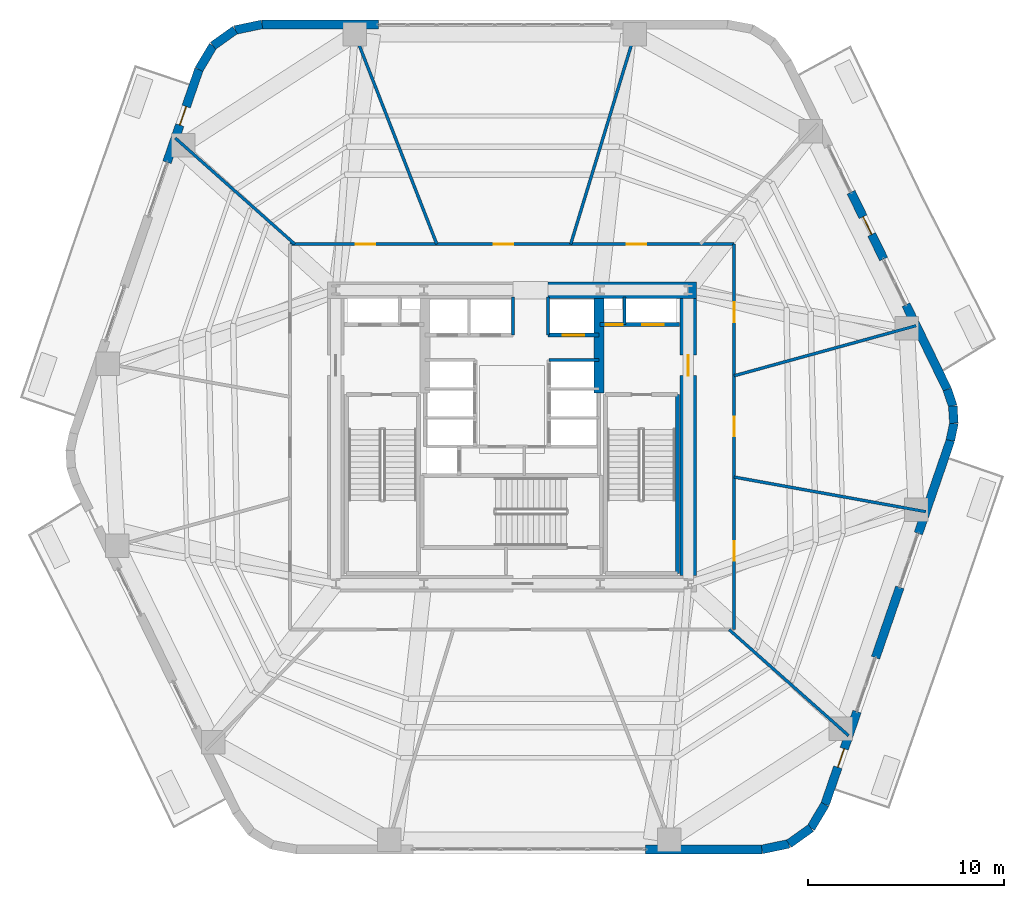
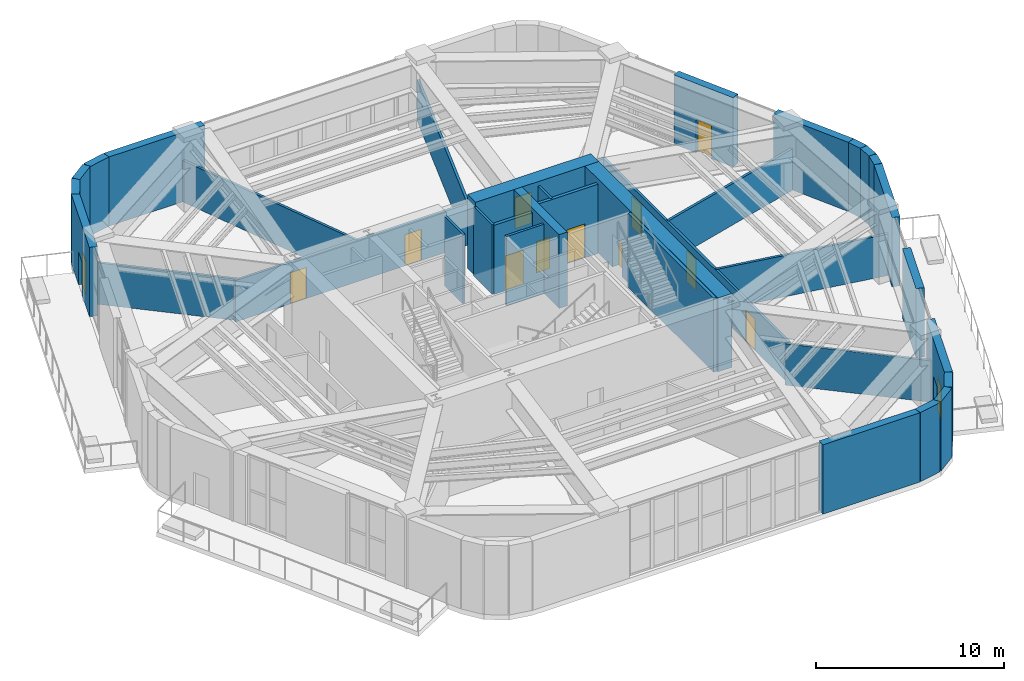
# One storey, part 18 of 22: 35 walls, 13 doors, 13 openings.
"""IFC4 building model written with IfcOpenShell, lengths in metres."""

from ifc_helpers import new_model, si_unit, direction, frame, frame_2d, origin, place, context, subcontext, project, spatial, rectangle, extrude, material, layer, layer_set, type_object, element, fill, save


model = new_model("IFC4")

# Units and contexts
model_context = context("Model", 3, precision=1e-05, world=origin(), true_north=direction((0.0, 1.0)))
body_context = subcontext(model_context, "Body", "Model", "MODEL_VIEW")
ifc_project = project(units=[si_unit("LENGTHUNIT", "METRE"), si_unit("AREAUNIT", "SQUARE_METRE"), si_unit("VOLUMEUNIT", "CUBIC_METRE"), si_unit("PLANEANGLEUNIT", "RADIAN"), si_unit("MASSUNIT", "GRAM", prefix="KILO")], contexts=[model_context])

# Site, building, storey
site_placement = place(None, origin())
site = spatial("IfcSite", under=ifc_project, at=site_placement, CompositionType="ELEMENT")
building_placement = place(site_placement, origin())
building = spatial("IfcBuilding", under=site, at=building_placement, Name="Kilnhurst Terrace Hotel", CompositionType="ELEMENT")
storey_placement = place(building_placement, frame((0.0, 0.0, 139.5)))
storey = spatial("IfcBuildingStorey", under=building, at=storey_placement, Name="L34", CompositionType="ELEMENT", Elevation=139.5)

# Walls
ifc_material_1 = material(Name="Precast concrete C40/50", Category="concrete")
ifc_layer_1 = layer(ifc_material_1, 0.449951171875, Name="Precast concrete C40/50")
ifc_layer_set_1 = layer_set([ifc_layer_1], Name="Precast concrete C40/50")
wall_type_1 = type_object("IfcWallType", Name="WL-BRK-450", PredefinedType="SOLIDWALL", material=ifc_layer_set_1)
wall_1_placement = place(storey_placement, frame((12.7705078125, -21.074951171875, 0.0), z_axis=(0.0, 0.0, 1.0), x_axis=(0.97874281988, 0.205091424819, 0.0)))
element("IfcWall", 1, at=wall_1_placement, inside=storey, type_object=wall_type_1, Name="L34 Rounded Corner Brick Wall C2.1", PredefinedType="SOLIDWALL", context=body_context, shape_type="SweptSolid", body=[
    extrude(rectangle(XDim=1.40576171875, YDim=0.449951171875, at=frame_2d((0.702880859375, 0.0))), origin(), (0.0, 0.0, 1.0), 4.5),
])
wall_2_placement = place(storey_placement, frame((14.146484375, -20.78662109375, 0.0), z_axis=(0.0, 0.0, 1.0), x_axis=(0.814162929117, 0.580636482536, 0.0)))
element("IfcWall", 2, at=wall_2_placement, inside=storey, type_object=wall_type_1, Name="L34 Rounded Corner Brick Wall C2.2", PredefinedType="SOLIDWALL", context=body_context, shape_type="SweptSolid", body=[
    extrude(rectangle(XDim=1.382080078125, YDim=0.449951171875, at=frame_2d((0.69091796875, 0.0))), origin(), (0.0, 0.0, 1.0), 4.5),
])
wall_3_placement = place(storey_placement, frame((15.271728515625, -19.984130859375, 0.0), z_axis=(0.0, 0.0, 1.0), x_axis=(0.512579347361, 0.858639862025, 0.0)))
element("IfcWall", 3, at=wall_3_placement, inside=storey, type_object=wall_type_1, Name="L34 Rounded Corner Brick Wall C2.3", PredefinedType="SOLIDWALL", context=body_context, shape_type="SweptSolid", body=[
    extrude(rectangle(XDim=1.406005859375, YDim=0.449951171875, at=frame_2d((0.703125, 0.0))), origin(), (0.0, 0.0, 1.0), 4.5),
])
wall_4_placement = place(storey_placement, frame((22.39697265625, -0.17919921875, 0.0), z_axis=(0.0, 0.0, 1.0), x_axis=(0.199313589404, 0.979935759669, 0.0)))
element("IfcWall", 4, at=wall_4_placement, inside=storey, type_object=wall_type_1, Name="L34 Rounded Corner Brick Wall C3.1", PredefinedType="SOLIDWALL", context=body_context, shape_type="SweptSolid", body=[
    extrude(rectangle(XDim=0.8955078125, YDim=0.449951171875, at=frame_2d((0.44775390625, 0.0))), origin(), (0.0, 0.0, 1.0), 4.5),
])
wall_5_placement = place(storey_placement, frame((22.575439453125, 0.6982421875, 0.0), z_axis=(0.0, 0.0, 1.0), x_axis=(-0.060980441946, 0.998138961117, 0.0)))
element("IfcWall", 5, at=wall_5_placement, inside=storey, type_object=wall_type_1, Name="L34 Rounded Corner Brick Wall C3.2", PredefinedType="SOLIDWALL", context=body_context, shape_type="SweptSolid", body=[
    extrude(rectangle(XDim=0.880859375, YDim=0.449951171875, at=frame_2d((0.4404296875, 0.0))), origin(), (0.0, 0.0, 1.0), 4.5),
])
wall_6_placement = place(storey_placement, frame((22.521728515625, 1.577392578125, 0.0), z_axis=(0.0, 0.0, 1.0), x_axis=(-0.317372694837, 0.948300887151, 0.0)))
element("IfcWall", 6, at=wall_6_placement, inside=storey, type_object=wall_type_1, Name="L34 Rounded Corner Brick Wall C3.3", PredefinedType="SOLIDWALL", context=body_context, shape_type="SweptSolid", body=[
    extrude(rectangle(XDim=0.8955078125, YDim=0.449951171875, at=frame_2d((0.44775390625, 0.0))), origin(), (0.0, 0.0, 1.0), 4.5),
])
wall_7_placement = place(storey_placement, frame((-12.7705078125, 21.074951171875, 0.0), z_axis=(0.0, 0.0, 1.0), x_axis=(-0.97874281988, -0.205091424819, 0.0)))
element("IfcWall", 7, at=wall_7_placement, inside=storey, type_object=wall_type_1, Name="L34 Rounded Corner Brick Wall C5.1", PredefinedType="SOLIDWALL", context=body_context, shape_type="SweptSolid", body=[
    extrude(rectangle(XDim=1.40576171875, YDim=0.449951171875, at=frame_2d((0.702880859375, 0.0))), origin(), (0.0, 0.0, 1.0), 4.5),
])
wall_8_placement = place(storey_placement, frame((-14.146484375, 20.78662109375, 0.0), z_axis=(0.0, 0.0, 1.0), x_axis=(-0.814162929117, -0.580636482536, 0.0)))
element("IfcWall", 8, at=wall_8_placement, inside=storey, type_object=wall_type_1, Name="L34 Rounded Corner Brick Wall C5.2", PredefinedType="SOLIDWALL", context=body_context, shape_type="SweptSolid", body=[
    extrude(rectangle(XDim=1.382080078125, YDim=0.449951171875, at=frame_2d((0.69091796875, 0.0))), origin(), (0.0, 0.0, 1.0), 4.5),
])
wall_9_placement = place(storey_placement, frame((-15.271728515625, 19.984130859375, 0.0), z_axis=(0.0, 0.0, 1.0), x_axis=(-0.512579347361, -0.858639862025, 0.0)))
element("IfcWall", 9, at=wall_9_placement, inside=storey, type_object=wall_type_1, Name="L34 Rounded Corner Brick Wall C5.3", PredefinedType="SOLIDWALL", context=body_context, shape_type="SweptSolid", body=[
    extrude(rectangle(XDim=1.406005859375, YDim=0.449951171875, at=frame_2d((0.703125, 0.0))), origin(), (0.0, 0.0, 1.0), 4.5),
])
wall_10_placement = place(storey_placement, frame((6.824951171875, -21.074951171875, 0.0), z_axis=(0.0, 0.0, 1.0), x_axis=(1.0, 0.0, 0.0)))
element("IfcWall", 10, at=wall_10_placement, inside=storey, type_object=wall_type_1, Name="L34 Face 1 End Brick Pier", PredefinedType="SOLIDWALL", context=body_context, shape_type="SweptSolid", body=[
    extrude(rectangle(XDim=5.945556640625, YDim=0.449951171875, at=frame_2d((2.97265625, 0.0))), origin(), (0.0, 0.0, 1.0), 4.5),
])

# Wall, opening, door
wall_11_placement = place(storey_placement, frame((15.992431640625, -18.77685546875, 0.0), z_axis=(0.0, 0.0, 1.0), x_axis=(0.325626313688, 0.945498547769, 0.0)))
wall_11 = element("IfcWall", 11, at=wall_11_placement, inside=storey, type_object=wall_type_1, Name="L34 Face 2 Brick Pier 1", PredefinedType="SOLIDWALL", context=body_context, shape_type="SweptSolid", body=[
    extrude(rectangle(XDim=5.01806640625, YDim=0.449951171875, at=frame_2d((2.509033203125, 0.0))), origin(), (0.0, 0.0, 1.0), 4.5),
])
opening_1_placement = place(wall_11_placement, frame((2.009033203125, 0.0, 0.0)))
opening_1 = element("IfcOpeningElement", 12, at=opening_1_placement, cuts=wall_11, Name="Opening BD-1000", PredefinedType="OPENING", context=body_context, shape_type="SweptSolid", body=[
    extrude(rectangle(XDim=1.0, YDim=2.14990234375, at=frame_2d((0.5, 1.074951171875))), frame((0.0, 0.23486328125, 0.0), z_axis=(0.0, -1.0, 0.0), x_axis=(1.0, 0.0, 0.0)), (0.0, 0.0, 1.0), 0.469970703125),
])
ifc_material_2 = material(Name="Thermally Broken Bronze Aluminium Alloy 6063-T6 and Laminated Glass", Category="aluminium")
door_type_1 = type_object("IfcDoorType", Name="DR-EXT-BAL-1000", OperationType="NOTDEFINED", PredefinedType="DOOR", material=ifc_material_2)
door_1_placement = place(opening_1_placement, origin())
door_1 = element("IfcDoor", 13, at=door_1_placement, inside=storey, type_object=door_type_1, Name="L34 Terrace Access Door BAL-L1A", OperationType="SINGLE_SWING_LEFT", OverallHeight=2.14990234375, OverallWidth=1.0, PredefinedType="DOOR", context=body_context, shape_type="SweptSolid", body=[
    extrude(rectangle(XDim=1.0, YDim=2.14990234375, at=frame_2d((0.5, 1.074951171875))), frame((0.0, 0.02490234375, 0.0), z_axis=(0.0, -1.0, 0.0), x_axis=(1.0, 0.0, 0.0)), (0.0, 0.0, 1.0), 0.050048828125),
])
fill(opening_1, door_1)

# Walls
wall_12_placement = place(storey_placement, frame((18.574462890625, -11.279052734375, 0.0), z_axis=(0.0, 0.0, 1.0), x_axis=(0.325598625093, 0.945508083169, 0.0)))
element("IfcWall", 14, at=wall_12_placement, inside=storey, type_object=wall_type_1, Name="L34 Face 2 Brick Pier 2", PredefinedType="SOLIDWALL", context=body_context, shape_type="SweptSolid", body=[
    extrude(rectangle(XDim=3.800048828125, YDim=0.449951171875, at=frame_2d((1.89990234375, 0.0))), origin(), (0.0, 0.0, 1.0), 4.5),
])
wall_13_placement = place(storey_placement, frame((20.760009765625, -4.932861328125, 0.0), z_axis=(0.0, 0.0, 1.0), x_axis=(0.325594073587, 0.94550965053, 0.0)))
element("IfcWall", 15, at=wall_13_placement, inside=storey, type_object=wall_type_1, Name="L34 Face 2 End Brick Pier", PredefinedType="SOLIDWALL", context=body_context, shape_type="SweptSolid", body=[
    extrude(rectangle(XDim=5.027587890625, YDim=0.449951171875, at=frame_2d((2.513671875, 0.0))), origin(), (0.0, 0.0, 1.0), 4.5),
])
wall_14_placement = place(storey_placement, frame((22.237548828125, 2.426513671875, 0.0), z_axis=(0.0, 0.0, 1.0), x_axis=(-0.438370693728, 0.898794267272, 0.0)))
element("IfcWall", 16, at=wall_14_placement, inside=storey, type_object=wall_type_1, Name="L34 Face 3 Brick Pier 1", PredefinedType="SOLIDWALL", context=body_context, shape_type="SweptSolid", body=[
    extrude(rectangle(XDim=4.815673828125, YDim=0.449951171875, at=frame_2d((2.40771484375, 0.0))), origin(), (0.0, 0.0, 1.0), 4.5),
])

# Wall, opening, door
wall_15_placement = place(storey_placement, frame((18.98828125, 9.088134765625, 0.0), z_axis=(0.0, 0.0, 1.0), x_axis=(-0.43837933929, 0.898790050503, 0.0)))
wall_15 = element("IfcWall", 17, at=wall_15_placement, inside=storey, type_object=wall_type_1, Name="L34 Face 3 Brick Pier 2", PredefinedType="SOLIDWALL", context=body_context, shape_type="SweptSolid", body=[
    extrude(rectangle(XDim=3.801025390625, YDim=0.449951171875, at=frame_2d((1.900390625, 0.0))), origin(), (0.0, 0.0, 1.0), 4.5),
])
opening_2_placement = place(wall_15_placement, frame((1.39990234375, 0.0, 0.0)))
opening_2 = element("IfcOpeningElement", 18, at=opening_2_placement, cuts=wall_15, Name="Opening BD-1000", PredefinedType="OPENING", context=body_context, shape_type="SweptSolid", body=[
    extrude(rectangle(XDim=1.0, YDim=2.14990234375, at=frame_2d((0.5, 1.074951171875))), frame((0.0, 0.23486328125, 0.0), z_axis=(0.0, -1.0, 0.0), x_axis=(1.0, 0.0, 0.0)), (0.0, 0.0, 1.0), 0.469970703125),
])
door_2_placement = place(opening_2_placement, origin())
door_2 = element("IfcDoor", 19, at=door_2_placement, inside=storey, type_object=door_type_1, Name="L34 Terrace Access Door BAL-L1B", OperationType="SINGLE_SWING_LEFT", OverallHeight=2.14990234375, OverallWidth=1.0, PredefinedType="DOOR", context=body_context, shape_type="SweptSolid", body=[
    extrude(rectangle(XDim=1.0, YDim=2.14990234375, at=frame_2d((0.5, 1.074951171875))), frame((0.0, 0.02490234375, 0.0), z_axis=(0.0, -1.0, 0.0), x_axis=(1.0, 0.0, 0.0)), (0.0, 0.0, 1.0), 0.050048828125),
])
fill(opening_2, door_2)

# Wall
wall_16_placement = place(storey_placement, frame((-6.824951171875, 21.074951171875, 0.0), z_axis=(0.0, 0.0, 1.0), x_axis=(-1.0, 0.0, 0.0)))
element("IfcWall", 20, at=wall_16_placement, inside=storey, type_object=wall_type_1, Name="L34 Face 4 End Brick Pier", PredefinedType="SOLIDWALL", context=body_context, shape_type="SweptSolid", body=[
    extrude(rectangle(XDim=5.945556640625, YDim=0.449951171875, at=frame_2d((2.97265625, 0.0))), origin(), (0.0, 0.0, 1.0), 4.5),
])

# Wall, opening, door
wall_17_placement = place(storey_placement, frame((-15.992431640625, 18.77685546875, 0.0), z_axis=(0.0, 0.0, 1.0), x_axis=(-0.325626313688, -0.945498547769, 0.0)))
wall_17 = element("IfcWall", 21, at=wall_17_placement, inside=storey, type_object=wall_type_1, Name="L34 Face 5 Brick Pier 1", PredefinedType="SOLIDWALL", context=body_context, shape_type="SweptSolid", body=[
    extrude(rectangle(XDim=5.01806640625, YDim=0.449951171875, at=frame_2d((2.509033203125, 0.0))), origin(), (0.0, 0.0, 1.0), 4.5),
])
opening_3_placement = place(wall_17_placement, frame((2.009033203125, 0.0, 0.0)))
opening_3 = element("IfcOpeningElement", 22, at=opening_3_placement, cuts=wall_17, Name="Opening BD-1000", PredefinedType="OPENING", context=body_context, shape_type="SweptSolid", body=[
    extrude(rectangle(XDim=1.0, YDim=2.14990234375, at=frame_2d((0.5, 1.074951171875))), frame((0.0, 0.23486328125, 0.0), z_axis=(0.0, -1.0, 0.0), x_axis=(1.0, 0.0, 0.0)), (0.0, 0.0, 1.0), 0.469970703125),
])
door_3_placement = place(opening_3_placement, origin())
door_3 = element("IfcDoor", 23, at=door_3_placement, inside=storey, type_object=door_type_1, Name="L34 Terrace Access Door BAL-L2A", OperationType="SINGLE_SWING_LEFT", OverallHeight=2.14990234375, OverallWidth=1.0, PredefinedType="DOOR", context=body_context, shape_type="SweptSolid", body=[
    extrude(rectangle(XDim=1.0, YDim=2.14990234375, at=frame_2d((0.5, 1.074951171875))), frame((0.0, 0.02490234375, 0.0), z_axis=(0.0, -1.0, 0.0), x_axis=(1.0, 0.0, 0.0)), (0.0, 0.0, 1.0), 0.050048828125),
])
fill(opening_3, door_3)

# Wall, openings, doors
ifc_material_3 = material(Name="Acoustic Double-Gypsum Corridor Partition Assembly")
ifc_layer_2 = layer(ifc_material_3, 0.14990234375, Name="Acoustic Double-Gypsum Corridor Partition Assembly")
ifc_layer_set_2 = layer_set([ifc_layer_2], Name="Acoustic Double-Gypsum Corridor Partition Assembly")
wall_type_2 = type_object("IfcWallType", Name="WL-COR-150", PredefinedType="PARTITIONING", material=ifc_layer_set_2)
wall_18_placement = place(storey_placement, frame((-11.35009765625, 9.85009765625, 0.0), z_axis=(0.0, 0.0, 1.0), x_axis=(1.0, 0.0, 0.0)))
wall_18 = element("IfcWall", 24, at=wall_18_placement, inside=storey, type_object=wall_type_2, Name="L34 Interior Wall WL-L34-COR-02", PredefinedType="PARTITIONING", context=body_context, shape_type="SweptSolid", body=[
    extrude(rectangle(XDim=22.7001953125, YDim=0.14990234375, at=frame_2d((11.35009765625, 0.0))), origin(), (0.0, 0.0, 1.0), 2.68994140625),
])
opening_4_placement = place(wall_18_placement, frame((17.2119140625, 0.0, 0.0)))
opening_4 = element("IfcOpeningElement", 25, at=opening_4_placement, cuts=wall_18, Name="Opening D-10A", PredefinedType="OPENING", context=body_context, shape_type="SweptSolid", body=[
    extrude(rectangle(XDim=1.0, YDim=2.030029296875, at=frame_2d((0.5, 1.01513671875))), frame((0.0, 0.0849609375, 0.0), z_axis=(0.0, -1.0, 0.0), x_axis=(1.0, 0.0, 0.0)), (0.0, 0.0, 1.0), 0.169921875),
])
opening_5_placement = place(wall_18_placement, frame((10.425048828125, 0.0, 0.0)))
opening_5 = element("IfcOpeningElement", 26, at=opening_5_placement, cuts=wall_18, Name="Opening D-10A", PredefinedType="OPENING", context=body_context, shape_type="SweptSolid", body=[
    extrude(rectangle(XDim=1.0, YDim=2.030029296875, at=frame_2d((0.5, 1.01513671875))), frame((0.0, 0.0849609375, 0.0), z_axis=(0.0, -1.0, 0.0), x_axis=(1.0, 0.0, 0.0)), (0.0, 0.0, 1.0), 0.169921875),
])
opening_6_placement = place(wall_18_placement, frame((3.3740234375, 0.0, 0.0)))
opening_6 = element("IfcOpeningElement", 27, at=opening_6_placement, cuts=wall_18, Name="Opening D-10A", PredefinedType="OPENING", context=body_context, shape_type="SweptSolid", body=[
    extrude(rectangle(XDim=1.0, YDim=2.030029296875, at=frame_2d((0.5, 1.01513671875))), frame((0.0, 0.0849609375, 0.0), z_axis=(0.0, -1.0, 0.0), x_axis=(1.0, 0.0, 0.0)), (0.0, 0.0, 1.0), 0.169921875),
])
ifc_material_4 = material(Name="Solid-Core American White Oak Interior Door")
door_type_2 = type_object("IfcDoorType", Name="DR-INT-1000", OperationType="NOTDEFINED", PredefinedType="DOOR", material=ifc_material_4)
door_4_placement = place(opening_4_placement, origin())
door_4 = element("IfcDoor", 28, at=door_4_placement, inside=storey, type_object=door_type_2, Name="L34 Sky Transfer Arrival Lounge Center Wing Door", OperationType="SINGLE_SWING_RIGHT", OverallHeight=2.030029296875, OverallWidth=1.0, PredefinedType="DOOR", context=body_context, shape_type="SweptSolid", body=[
    extrude(rectangle(XDim=1.0, YDim=2.030029296875, at=frame_2d((0.5, 1.01513671875))), frame((0.0, 0.02490234375, 0.0), z_axis=(0.0, -1.0, 0.0), x_axis=(1.0, 0.0, 0.0)), (0.0, 0.0, 1.0), 0.050048828125),
])
fill(opening_4, door_4)
door_5_placement = place(opening_5_placement, origin())
door_5 = element("IfcDoor", 29, at=door_5_placement, inside=storey, type_object=door_type_2, Name="L34 Sky Transfer Arrival Lounge East Wing Door", OperationType="SINGLE_SWING_LEFT", OverallHeight=2.030029296875, OverallWidth=1.0, PredefinedType="DOOR", context=body_context, shape_type="SweptSolid", body=[
    extrude(rectangle(XDim=1.0, YDim=2.030029296875, at=frame_2d((0.5, 1.01513671875))), frame((0.0, 0.02490234375, 0.0), z_axis=(0.0, -1.0, 0.0), x_axis=(1.0, 0.0, 0.0)), (0.0, 0.0, 1.0), 0.050048828125),
])
fill(opening_5, door_5)
door_6_placement = place(opening_6_placement, origin())
door_6 = element("IfcDoor", 30, at=door_6_placement, inside=storey, type_object=door_type_2, Name="L34 Sky Transfer Arrival Lounge North Wing Door", OperationType="SINGLE_SWING_RIGHT", OverallHeight=2.030029296875, OverallWidth=1.0, PredefinedType="DOOR", context=body_context, shape_type="SweptSolid", body=[
    extrude(rectangle(XDim=1.0, YDim=2.030029296875, at=frame_2d((0.5, 1.01513671875))), frame((0.0, 0.02490234375, 0.0), z_axis=(0.0, -1.0, 0.0), x_axis=(1.0, 0.0, 0.0)), (0.0, 0.0, 1.0), 0.050048828125),
])
fill(opening_6, door_6)

wall_19_placement = place(storey_placement, frame((11.35009765625, 9.85009765625, 0.0), z_axis=(0.0, 0.0, 1.0), x_axis=(0.0, -1.0, 0.0)))
wall_19 = element("IfcWall", 31, at=wall_19_placement, inside=storey, type_object=wall_type_2, Name="L34 Interior Wall WL-L34-COR-03", PredefinedType="PARTITIONING", context=body_context, shape_type="SweptSolid", body=[
    extrude(rectangle(XDim=19.7001953125, YDim=0.14990234375, at=frame_2d((9.85009765625, 0.0))), origin(), (0.0, 0.0, 1.0), 2.68994140625),
])
opening_7_placement = place(wall_19_placement, frame((2.98291015625, 0.0, 0.0)))
opening_7 = element("IfcOpeningElement", 32, at=opening_7_placement, cuts=wall_19, Name="Opening D-10A", PredefinedType="OPENING", context=body_context, shape_type="SweptSolid", body=[
    extrude(rectangle(XDim=1.0, YDim=2.030029296875, at=frame_2d((0.5, 1.01513671875))), frame((0.0, 0.0849609375, 0.0), z_axis=(0.0, -1.0, 0.0), x_axis=(1.0, 0.0, 0.0)), (0.0, 0.0, 1.0), 0.169921875),
])
opening_8_placement = place(wall_19_placement, frame((15.179931640625, 0.0, 0.0)))
opening_8 = element("IfcOpeningElement", 33, at=opening_8_placement, cuts=wall_19, Name="Opening D-10A", PredefinedType="OPENING", context=body_context, shape_type="SweptSolid", body=[
    extrude(rectangle(XDim=1.0, YDim=2.030029296875, at=frame_2d((0.5, 1.01513671875))), frame((0.0, 0.0849609375, 0.0), z_axis=(0.0, -1.0, 0.0), x_axis=(1.0, 0.0, 0.0)), (0.0, 0.0, 1.0), 0.169921875),
])
opening_9_placement = place(wall_19_placement, frame((8.81103515625, 0.0, 0.0)))
opening_9 = element("IfcOpeningElement", 34, at=opening_9_placement, cuts=wall_19, Name="Opening D-10A", PredefinedType="OPENING", context=body_context, shape_type="SweptSolid", body=[
    extrude(rectangle(XDim=1.0, YDim=2.030029296875, at=frame_2d((0.5, 1.01513671875))), frame((0.0, 0.0849609375, 0.0), z_axis=(0.0, -1.0, 0.0), x_axis=(1.0, 0.0, 0.0)), (0.0, 0.0, 1.0), 0.169921875),
])
door_7_placement = place(opening_7_placement, origin())
door_7 = element("IfcDoor", 35, at=door_7_placement, inside=storey, type_object=door_type_2, Name="L34 Sky Transfer Arrival Lounge West Wing Door", OperationType="SINGLE_SWING_LEFT", OverallHeight=2.030029296875, OverallWidth=1.0, PredefinedType="DOOR", context=body_context, shape_type="SweptSolid", body=[
    extrude(rectangle(XDim=1.0, YDim=2.030029296875, at=frame_2d((0.5, 1.01513671875))), frame((0.0, 0.02490234375, 0.0), z_axis=(0.0, -1.0, 0.0), x_axis=(1.0, 0.0, 0.0)), (0.0, 0.0, 1.0), 0.050048828125),
])
fill(opening_7, door_7)
door_8_placement = place(opening_8_placement, origin())
door_8 = element("IfcDoor", 36, at=door_8_placement, inside=storey, type_object=door_type_2, Name="L34 Public Sky Restrooms Block Door", OperationType="SINGLE_SWING_LEFT", OverallHeight=2.030029296875, OverallWidth=1.0, PredefinedType="DOOR", context=body_context, shape_type="SweptSolid", body=[
    extrude(rectangle(XDim=1.0, YDim=2.030029296875, at=frame_2d((0.5, 1.01513671875))), frame((0.0, 0.02490234375, 0.0), z_axis=(0.0, -1.0, 0.0), x_axis=(1.0, 0.0, 0.0)), (0.0, 0.0, 1.0), 0.050048828125),
])
fill(opening_8, door_8)
door_9_placement = place(opening_9_placement, origin())
door_9 = element("IfcDoor", 37, at=door_9_placement, inside=storey, type_object=door_type_2, Name="L34 Sky Accessible Toilets Block Door", OperationType="SINGLE_SWING_RIGHT", OverallHeight=2.030029296875, OverallWidth=1.0, PredefinedType="DOOR", context=body_context, shape_type="SweptSolid", body=[
    extrude(rectangle(XDim=1.0, YDim=2.030029296875, at=frame_2d((0.5, 1.01513671875))), frame((0.0, 0.02490234375, 0.0), z_axis=(0.0, -1.0, 0.0), x_axis=(1.0, 0.0, 0.0)), (0.0, 0.0, 1.0), 0.050048828125),
])
fill(opening_9, door_9)

# Wall
ifc_material_5 = material(Name="Concrete C80/95", Category="concrete")
ifc_layer_3 = layer(ifc_material_5, 0.85009765625, Name="Concrete C80/95")
ifc_layer_set_3 = layer_set([ifc_layer_3], Name="Concrete C80/95")
wall_type_3 = type_object("IfcWallType", Name="WL-CORE-850", PredefinedType="SHEAR", material=ifc_layer_set_3)
wall_20_placement = place(storey_placement, frame((1.85009765625, 7.5, 0.0), z_axis=(0.0, 0.0, 1.0), x_axis=(1.0, 0.0, 0.0)))
element("IfcWall", 38, at=wall_20_placement, inside=storey, type_object=wall_type_3, Name="L34 Core North East Shear Wall", PredefinedType="SHEAR", context=body_context, shape_type="SweptSolid", body=[
    extrude(rectangle(XDim=7.574951171875, YDim=0.85009765625, at=frame_2d((3.78759765625, 0.0))), origin(), (0.0, 0.0, 1.0), 4.800048828125),
])

# Wall, opening, door
wall_21_placement = place(storey_placement, frame((9.0, -7.074951171875, 0.0), z_axis=(0.0, 0.0, 1.0), x_axis=(0.0, 1.0, 0.0)))
wall_21 = element("IfcWall", 39, at=wall_21_placement, inside=storey, type_object=wall_type_3, Name="L34 Core East Shear Wall", PredefinedType="SHEAR", context=body_context, shape_type="SweptSolid", body=[
    extrude(rectangle(XDim=14.14990234375, YDim=0.85009765625, at=frame_2d((7.074951171875, 0.0))), origin(), (0.0, 0.0, 1.0), 4.800048828125),
])
opening_10_placement = place(wall_21_placement, frame((10.199951171875, 0.0, 0.0)))
opening_10 = element("IfcOpeningElement", 40, at=opening_10_placement, cuts=wall_21, Name="Opening D-90A", PredefinedType="OPENING", context=body_context, shape_type="SweptSolid", body=[
    extrude(rectangle(XDim=1.050048828125, YDim=2.14990234375, at=frame_2d((0.52490234375, 1.074951171875))), frame((0.0, 0.43505859375, 0.0), z_axis=(0.0, -1.0, 0.0), x_axis=(1.0, 0.0, 0.0)), (0.0, 0.0, 1.0), 0.8701171875),
])
ifc_material_6 = material(Name="Painted Hollow Metal Steel ASTM A36 Fire Door", Category="steel")
door_type_3 = type_object("IfcDoorType", Name="DR-FD90-1050", OperationType="NOTDEFINED", PredefinedType="DOOR", material=ifc_material_6)
door_10_placement = place(opening_10_placement, origin())
door_10 = element("IfcDoor", 41, at=door_10_placement, inside=storey, type_object=door_type_3, Name="L34 East Firefighting Lobby Door", OperationType="SINGLE_SWING_LEFT", OverallHeight=2.14990234375, OverallWidth=1.050048828125, PredefinedType="DOOR", context=body_context, shape_type="SweptSolid", body=[
    extrude(rectangle(XDim=1.050048828125, YDim=2.14990234375, at=frame_2d((0.52490234375, 1.074951171875))), frame((0.0, 0.02490234375, 0.0), z_axis=(0.0, -1.0, 0.0), x_axis=(1.0, 0.0, 0.0)), (0.0, 0.0, 1.0), 0.050048828125),
])
fill(opening_10, door_10)

# Walls
ifc_material_7 = material(Name="Concrete C60/75", Category="concrete")
ifc_layer_4 = layer(ifc_material_7, 0.5, Name="Concrete C60/75")
ifc_layer_set_4 = layer_set([ifc_layer_4], Name="Concrete C60/75")
wall_type_4 = type_object("IfcWallType", Name="WL-CORE-WEB-500", PredefinedType="SHEAR", material=ifc_layer_set_4)
wall_22_placement = place(storey_placement, frame((4.449951171875, 2.25, 0.0), z_axis=(0.0, 0.0, 1.0), x_axis=(0.0, 1.0, 0.0)))
element("IfcWall", 42, at=wall_22_placement, inside=storey, type_object=wall_type_4, Name="L34 Core Internal East Shear Web", PredefinedType="SHEAR", context=body_context, shape_type="SweptSolid", body=[
    extrude(rectangle(XDim=4.824951171875, YDim=0.5, at=frame_2d((2.41259765625, 0.0))), origin(), (0.0, 0.0, 1.0), 4.800048828125),
])
ifc_material_8 = material(Name="150 mm Acoustic Gypsum Hospitality Partition")
ifc_layer_5 = layer(ifc_material_8, 0.14990234375, Name="150 mm Acoustic Gypsum Hospitality Partition")
ifc_layer_set_5 = layer_set([ifc_layer_5], Name="150 mm Acoustic Gypsum Hospitality Partition")
wall_type_5 = type_object("IfcWallType", Name="WL-PART-150", PredefinedType="PARTITIONING", material=ifc_layer_set_5)
wall_23_placement = place(storey_placement, frame((11.35009765625, 3.123291015625, 0.0), z_axis=(0.0, 0.0, 1.0), x_axis=(0.964151983214, 0.265350623261, 0.0)))
element("IfcWall", 43, at=wall_23_placement, inside=storey, type_object=wall_type_5, Name="L34 Interior Wall WL-L34-SCOL-01-1", PredefinedType="PARTITIONING", context=body_context, shape_type="SweptSolid", body=[
    extrude(rectangle(XDim=9.64501953125, YDim=0.14990234375, at=frame_2d((4.822509765625, 0.0))), origin(), (0.0, 0.0, 1.0), 2.68994140625),
])
wall_24_placement = place(storey_placement, frame((3.0, 9.85009765625, 0.0), z_axis=(0.0, 0.0, 1.0), x_axis=(0.291352035382, 0.95661590593, 0.0)))
element("IfcWall", 44, at=wall_24_placement, inside=storey, type_object=wall_type_5, Name="L34 Interior Wall WL-L34-SCOL-03-1", PredefinedType="PARTITIONING", context=body_context, shape_type="SweptSolid", body=[
    extrude(rectangle(XDim=11.73388671875, YDim=0.14990234375, at=frame_2d((5.866943359375, 0.0))), origin(), (0.0, 0.0, 1.0), 2.68994140625),
])
wall_25_placement = place(storey_placement, frame((-3.84228515625, 9.85009765625, 0.0), z_axis=(0.0, 0.0, 1.0), x_axis=(-0.363432685593, 0.931620460833, 0.0)))
element("IfcWall", 45, at=wall_25_placement, inside=storey, type_object=wall_type_5, Name="L34 Interior Wall WL-L34-SCOL-04-1", PredefinedType="PARTITIONING", context=body_context, shape_type="SweptSolid", body=[
    extrude(rectangle(XDim=12.048828125, YDim=0.14990234375, at=frame_2d((6.0244140625, 0.0))), origin(), (0.0, 0.0, 1.0), 2.68994140625),
])
for number, where, z_axis, x_axis, name in (
    (46, (-11.097900390625, 9.85009765625, 0.0), (0.0, 0.0, 1.0), (-0.747904295103, 0.663806572253, 0.0), "L34 Interior Wall WL-L34-SCOL-05-1"),
    (47, (11.097900390625, -9.85009765625, 0.0), (0.0, 0.0, 1.0), (0.747904295103, -0.663806572253, 0.0), "L34 Interior Wall WL-L34-SCOL-11-1"),
):
    element("IfcWall", number, at=place(storey_placement, frame(where, z_axis=z_axis, x_axis=x_axis)), inside=storey, type_object=wall_type_5, Name=name, PredefinedType="PARTITIONING", context=body_context, shape_type="SweptSolid", body=[
        extrude(rectangle(XDim=8.160400390625, YDim=0.14990234375, at=frame_2d((4.080078125, 0.0))), origin(), (0.0, 0.0, 1.0), 2.68994140625),
    ])
wall_26_placement = place(storey_placement, frame((11.35009765625, -2.05078125, 0.0), z_axis=(0.0, 0.0, 1.0), x_axis=(0.984068313063, -0.177790762484, 0.0)))
element("IfcWall", 48, at=wall_26_placement, inside=storey, type_object=wall_type_5, Name="L34 Interior Wall WL-L34-SCOL-12-1", PredefinedType="PARTITIONING", context=body_context, shape_type="SweptSolid", body=[
    extrude(rectangle(XDim=9.951416015625, YDim=0.14990234375, at=frame_2d((4.9755859375, 0.0))), origin(), (0.0, 0.0, 1.0), 2.68994140625),
])
ifc_material_9 = material(Name="Fire-Rated Gypsum Shaftliner Assembly")
ifc_layer_6 = layer(ifc_material_9, 0.14990234375, Name="Fire-Rated Gypsum Shaftliner Assembly")
ifc_layer_set_6 = layer_set([ifc_layer_6], Name="Fire-Rated Gypsum Shaftliner Assembly")
wall_type_6 = type_object("IfcWallType", Name="WL-SHAFT-150", PredefinedType="PARTITIONING", material=ifc_layer_set_6)
wall_27_placement = place(storey_placement, frame((5.75, 5.739990234375, 0.0), z_axis=(0.0, 0.0, 1.0), x_axis=(0.0, 1.0, 0.0)))
element("IfcWall", 49, at=wall_27_placement, inside=storey, type_object=wall_type_6, Name="L34 Interior Wall WL-L34-RIS2-DIV", PredefinedType="PARTITIONING", context=body_context, shape_type="SweptSolid", body=[
    extrude(rectangle(XDim=1.409912109375, YDim=0.14990234375, at=frame_2d((0.705078125, 0.0))), origin(), (0.0, 0.0, 1.0), 4.5),
])
for number, where, z_axis, x_axis, name in (
    (50, (0.050048828125, 5.199951171875, 0.0), (0.0, 0.0, 1.0), (0.0, 1.0, 0.0), "L34 Interior Wall WL-L34-HR-PORTAL-W"),
    (51, (1.85009765625, 5.199951171875, 0.0), (0.0, 0.0, 1.0), (0.0, 1.0, 0.0), "L34 Interior Wall WL-L34-HR-PORTAL-E"),
):
    element("IfcWall", number, at=place(storey_placement, frame(where, z_axis=z_axis, x_axis=x_axis)), inside=storey, type_object=wall_type_6, Name=name, PredefinedType="PARTITIONING", context=body_context, shape_type="SweptSolid", body=[
        extrude(rectangle(XDim=1.949951171875, YDim=0.14990234375, at=frame_2d((0.97509765625, 0.0))), origin(), (0.0, 0.0, 1.0), 4.5),
    ])
wall_28_placement = place(storey_placement, frame((1.89990234375, 3.93994140625, 0.0), z_axis=(0.0, 0.0, 1.0), x_axis=(1.0, 0.0, 0.0)))
element("IfcWall", 52, at=wall_28_placement, inside=storey, type_object=wall_type_6, Name="L34 Interior Wall WL-L34-MR-NORTH", PredefinedType="PARTITIONING", context=body_context, shape_type="SweptSolid", body=[
    extrude(rectangle(XDim=2.550048828125, YDim=0.14990234375, at=frame_2d((1.27490234375, 0.0))), origin(), (0.0, 0.0, 1.0), 4.5),
])

# Wall, openings, doors
ifc_material_10 = material(Name="Autoclaved Aerated Concrete C30/37 and Gypsum Shaft Assembly", Category="concrete")
ifc_layer_7 = layer(ifc_material_10, 0.199951171875, Name="Autoclaved Aerated Concrete C30/37 and Gypsum Shaft Assembly")
ifc_layer_set_7 = layer_set([ifc_layer_7], Name="Autoclaved Aerated Concrete C30/37 and Gypsum Shaft Assembly")
wall_type_7 = type_object("IfcWallType", Name="WL-SHAFT-200", PredefinedType="PARTITIONING", material=ifc_layer_set_7)
wall_29_placement = place(storey_placement, frame((4.5, 5.739990234375, 0.0), z_axis=(0.0, 0.0, 1.0), x_axis=(1.0, 0.0, 0.0)))
wall_29 = element("IfcWall", 53, at=wall_29_placement, inside=storey, type_object=wall_type_7, Name="L34 Interior Wall WL-L34-FSAE2-S", PredefinedType="PARTITIONING", context=body_context, shape_type="SweptSolid", body=[
    extrude(rectangle(XDim=4.050048828125, YDim=0.199951171875, at=frame_2d((2.02490234375, 0.0))), origin(), (0.0, 0.0, 1.0), 4.5),
])
opening_11_placement = place(wall_29_placement, frame((0.300048828125, 0.0, 0.0)))
opening_11 = element("IfcOpeningElement", 54, at=opening_11_placement, cuts=wall_29, Name="Opening D-60D", PredefinedType="OPENING", context=body_context, shape_type="SweptSolid", body=[
    extrude(rectangle(XDim=0.85009765625, YDim=2.030029296875, at=frame_2d((0.425048828125, 1.01513671875))), frame((0.0, 0.10986328125, 0.0), z_axis=(0.0, -1.0, 0.0), x_axis=(1.0, 0.0, 0.0)), (0.0, 0.0, 1.0), 0.219970703125),
])
opening_12_placement = place(wall_29_placement, frame((2.14990234375, 0.0, 0.0)))
opening_12 = element("IfcOpeningElement", 55, at=opening_12_placement, cuts=wall_29, Name="Opening LD-F2", PredefinedType="OPENING", context=body_context, shape_type="SweptSolid", body=[
    extrude(rectangle(XDim=1.10009765625, YDim=2.199951171875, at=frame_2d((0.550048828125, 1.10009765625))), frame((0.0, 0.10986328125, 0.0), z_axis=(0.0, -1.0, 0.0), x_axis=(1.0, 0.0, 0.0)), (0.0, 0.0, 1.0), 0.219970703125),
])
ifc_material_11 = material(Name="Painted Hollow Metal Steel ASTM A36 Riser Door", Category="steel")
door_type_4 = type_object("IfcDoorType", Name="DR-FD60-850", OperationType="NOTDEFINED", PredefinedType="DOOR", material=ifc_material_11)
door_11_placement = place(opening_11_placement, origin())
door_11 = element("IfcDoor", 56, at=door_11_placement, inside=storey, type_object=door_type_4, Name="L34 Telecom Riser Door", OperationType="SINGLE_SWING_RIGHT", OverallHeight=2.030029296875, OverallWidth=0.85009765625, PredefinedType="DOOR", context=body_context, shape_type="SweptSolid", body=[
    extrude(rectangle(XDim=0.85009765625, YDim=2.030029296875, at=frame_2d((0.425048828125, 1.01513671875))), frame((0.0, 0.02490234375, 0.0), z_axis=(0.0, -1.0, 0.0), x_axis=(1.0, 0.0, 0.0)), (0.0, 0.0, 1.0), 0.050048828125),
])
fill(opening_11, door_11)
ifc_material_12 = material(Name="Bronze-Anodized Stainless Steel AISI 316L Sliding Door", Category="steel")
door_type_5 = type_object("IfcDoorType", Name="DR-LIFT-1100", OperationType="NOTDEFINED", PredefinedType="DOOR", material=ifc_material_12)
door_12_placement = place(opening_12_placement, origin())
door_12 = element("IfcDoor", 57, at=door_12_placement, inside=storey, type_object=door_type_5, Name="L34 FSAE-2 Landing Door", OperationType="SLIDING_TO_RIGHT", OverallHeight=2.199951171875, OverallWidth=1.10009765625, PredefinedType="DOOR", context=body_context, shape_type="SweptSolid", body=[
    extrude(rectangle(XDim=1.10009765625, YDim=2.199951171875, at=frame_2d((0.550048828125, 1.10009765625))), frame((0.0, 0.02490234375, 0.0), z_axis=(0.0, -1.0, 0.0), x_axis=(1.0, 0.0, 0.0)), (0.0, 0.0, 1.0), 0.050048828125),
])
fill(opening_12, door_12)

# Wall, opening, door
wall_30_placement = place(storey_placement, frame((1.85009765625, 5.199951171875, 0.0), z_axis=(0.0, 0.0, 1.0), x_axis=(1.0, 0.0, 0.0)))
wall_30 = element("IfcWall", 58, at=wall_30_placement, inside=storey, type_object=wall_type_7, Name="L34 Interior Wall WL-L34-HR-SE", PredefinedType="PARTITIONING", context=body_context, shape_type="SweptSolid", body=[
    extrude(rectangle(XDim=2.599853515625, YDim=0.199951171875, at=frame_2d((1.2998046875, 0.0))), origin(), (0.0, 0.0, 1.0), 4.5),
])
opening_13_placement = place(wall_30_placement, frame((0.75, 0.0, 0.0)))
opening_13 = element("IfcOpeningElement", 59, at=opening_13_placement, cuts=wall_30, Name="Opening LD-H2", PredefinedType="OPENING", context=body_context, shape_type="SweptSolid", body=[
    extrude(rectangle(XDim=1.10009765625, YDim=2.199951171875, at=frame_2d((0.550048828125, 1.10009765625))), frame((0.0, 0.10986328125, 0.0), z_axis=(0.0, -1.0, 0.0), x_axis=(1.0, 0.0, 0.0)), (0.0, 0.0, 1.0), 0.219970703125),
])
door_13_placement = place(opening_13_placement, origin())
door_13 = element("IfcDoor", 60, at=door_13_placement, inside=storey, type_object=door_type_5, Name="L34 High Rise Lift HR-2 Landing Door", OperationType="SLIDING_TO_RIGHT", OverallHeight=2.199951171875, OverallWidth=1.10009765625, PredefinedType="DOOR", context=body_context, shape_type="SweptSolid", body=[
    extrude(rectangle(XDim=1.10009765625, YDim=2.199951171875, at=frame_2d((0.550048828125, 1.10009765625))), frame((0.0, 0.02490234375, 0.0), z_axis=(0.0, -1.0, 0.0), x_axis=(1.0, 0.0, 0.0)), (0.0, 0.0, 1.0), 0.050048828125),
])
fill(opening_13, door_13)

# Wall
ifc_material_13 = material(Name="Concrete C50/60", Category="concrete")
ifc_layer_8 = layer(ifc_material_13, 0.199951171875, Name="Concrete C50/60")
ifc_layer_set_8 = layer_set([ifc_layer_8], Name="Concrete C50/60")
wall_type_8 = type_object("IfcWallType", Name="WL-STAIR-RC-200", PredefinedType="SHEAR", material=ifc_layer_set_8)
wall_31_placement = place(storey_placement, frame((8.4580078125, -6.985107421875, 0.0), z_axis=(0.0, 0.0, 1.0), x_axis=(0.0, 1.0, 0.0)))
element("IfcWall", 61, at=wall_31_placement, inside=storey, type_object=wall_type_8, Name="L34 Structural Stair Shaft Wall WL-L34-ST2-E", PredefinedType="SHEAR", context=body_context, shape_type="SweptSolid", body=[
    extrude(rectangle(XDim=9.14306640625, YDim=0.199951171875, at=frame_2d((4.571533203125, 0.0))), origin(), (0.0, 0.0, 1.0), 4.800048828125),
])

save(model, "model.ifc")
